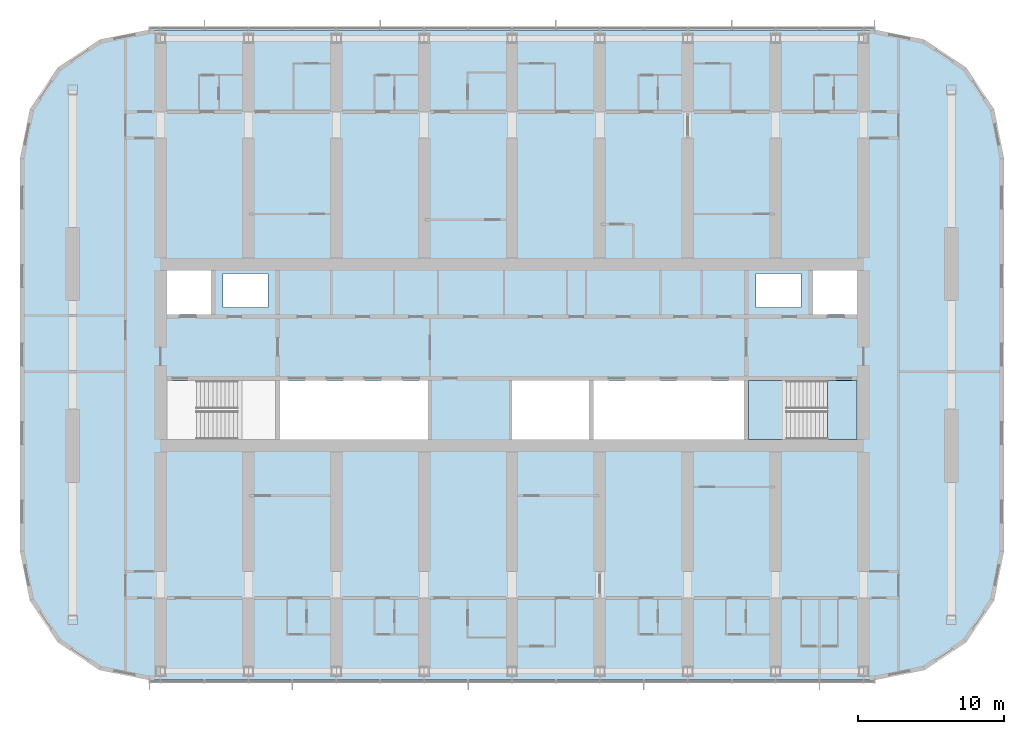
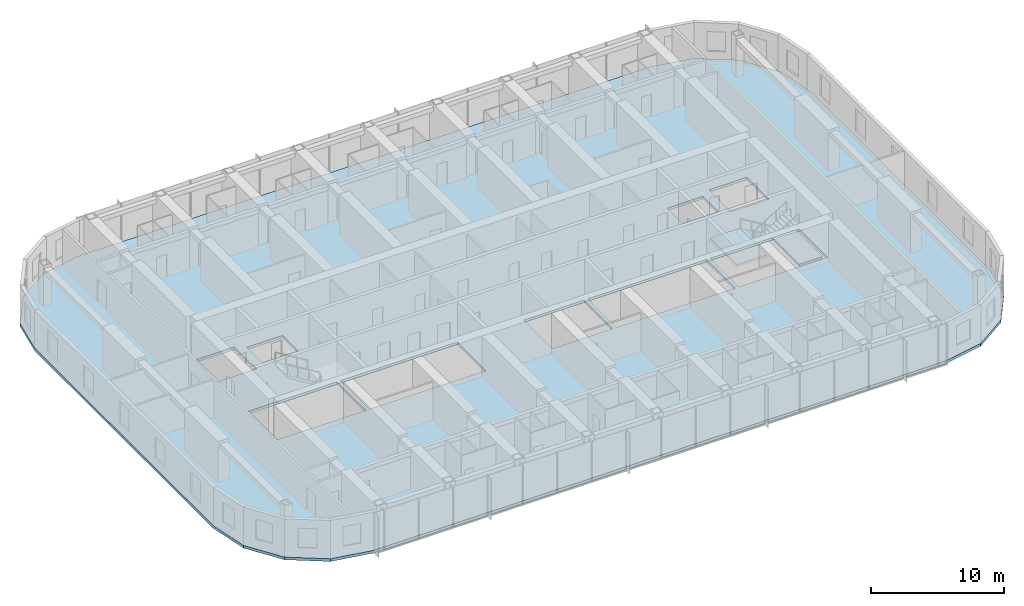
# One storey, part 8 of 22: 3 slabs, 1 element without a shape of its own.
"""IFC4 building model written with IfcOpenShell, lengths in metres."""

from ifc_helpers import new_model, si_unit, direction, frame, origin, place, context, subcontext, project, spatial, polyline, outline, extrude, material, layer, layer_set, type_object, element, aggregate, save


model = new_model("IFC4")

# Units and contexts
model_context = context("Model", 3, precision=1e-05, world=origin(), true_north=direction((0.0, 1.0)))
body_context = subcontext(model_context, "Body", "Model", "MODEL_VIEW")
ifc_project = project(units=[si_unit("LENGTHUNIT", "METRE"), si_unit("AREAUNIT", "SQUARE_METRE"), si_unit("VOLUMEUNIT", "CUBIC_METRE"), si_unit("PLANEANGLEUNIT", "RADIAN"), si_unit("MASSUNIT", "GRAM", prefix="KILO")], contexts=[model_context])

# Site, building, storey
site_placement = place(None, origin())
site = spatial("IfcSite", under=ifc_project, at=site_placement, CompositionType="ELEMENT")
building_placement = place(site_placement, origin())
building = spatial("IfcBuilding", under=site, at=building_placement, Name="Orbita Commons", CompositionType="ELEMENT")
storey_placement = place(building_placement, frame((0.0, 0.0, 186.10009765625)))
storey = spatial("IfcBuildingStorey", under=building, at=storey_placement, Name="L46", CompositionType="ELEMENT", Elevation=186.10009765625)

# Slab
ifc_material_1 = material(Name="Concrete C40/50", Category="concrete")
ifc_layer_1 = layer(ifc_material_1, 0.25)
ifc_layer_set_1 = layer_set([ifc_layer_1], Name="Concrete C40/50")
slab_type_1 = type_object("IfcSlabType", Name="Floor slab 250", PredefinedType="FLOOR", material=ifc_layer_set_1)
slab_1_placement = place(storey_placement, frame((0.0, 0.0, -0.25)))
element("IfcSlab", 1, at=slab_1_placement, inside=storey, type_object=slab_type_1, Name="Floor slab L46", PredefinedType="FLOOR", context=body_context, shape_type="SweptSolid", body=[
    extrude(outline(polyline([(66.800048828125, 9.800048828125), (70.167724609375, 10.469970703125), (73.0224609375, 12.37744140625), (74.93017578125, 15.232421875), (75.60009765625, 18.60009765625), (75.60009765625, 45.39990234375), (74.93017578125, 48.767578125), (73.0224609375, 51.62255859375), (70.167724609375, 53.530029296875), (66.800048828125, 54.199951171875), (17.199951171875, 54.199951171875), (13.832275390625, 53.530029296875), (10.9775390625, 51.62255859375), (9.06982421875, 48.767578125), (8.39990234375, 45.39990234375), (8.39990234375, 18.60009765625), (9.06982421875, 15.232421875), (10.9775390625, 12.37744140625), (13.832275390625, 10.469970703125), (17.199951171875, 9.800048828125), (66.800048828125, 9.800048828125)]), holes=[polyline([(18.14990234375, 25.949951171875), (25.85009765625, 25.949951171875), (25.85009765625, 30.25), (18.14990234375, 30.25), (18.14990234375, 25.949951171875)]), polyline([(58.14990234375, 25.949951171875), (65.85009765625, 25.949951171875), (65.85009765625, 30.25), (58.14990234375, 30.25), (58.14990234375, 25.949951171875)]), polyline([(18.14990234375, 34.75), (21.449951171875, 34.75), (21.449951171875, 38.050048828125), (18.14990234375, 38.050048828125), (18.14990234375, 34.75)]), polyline([(62.550048828125, 34.75), (65.85009765625, 34.75), (65.85009765625, 38.050048828125), (62.550048828125, 38.050048828125), (62.550048828125, 34.75)]), polyline([(22.25, 35.25), (25.35009765625, 35.25), (25.35009765625, 37.550048828125), (22.25, 37.550048828125), (22.25, 35.25)]), polyline([(58.64990234375, 35.25), (61.75, 35.25), (61.75, 37.550048828125), (58.64990234375, 37.550048828125), (58.64990234375, 35.25)]), polyline([(26.14990234375, 25.949951171875), (36.25, 25.949951171875), (36.25, 30.25), (26.14990234375, 30.25), (26.14990234375, 25.949951171875)]), polyline([(42.0, 25.949951171875), (47.25, 25.949951171875), (47.25, 30.25), (42.0, 30.25), (42.0, 25.949951171875)]), polyline([(47.550048828125, 25.949951171875), (57.85009765625, 25.949951171875), (57.85009765625, 30.25), (47.550048828125, 30.25), (47.550048828125, 25.949951171875)])]), origin(), (0.0, 0.0, 1.0), 0.25),
])

# Stair, slabs
ifc_material_2 = material(Name="Precast concrete C40/50", Category="concrete")
stair_type = type_object("IfcStairType", Name="Exit stair S2 2 flights 11 risers 170", PredefinedType="HALF_TURN_STAIR", material=ifc_material_2)
stair_placement = place(storey_placement, origin())
stair = element("IfcStair", 2, at=stair_placement, inside=storey, type_object=stair_type, Name="Exit stair S2 L46", PredefinedType="HALF_TURN_STAIR")
ifc_material_3 = material(Name="Concrete C40/50", Category="concrete")
ifc_layer_2 = layer(ifc_material_3, 0.199951171875)
ifc_layer_set_2 = layer_set([ifc_layer_2], Name="Concrete C40/50")
slab_type_2 = type_object("IfcSlabType", Name="Stair landing 200", PredefinedType="LANDING", material=ifc_layer_set_2)
slab_2_placement = place(storey_placement, frame((0.0, 0.0, -0.2001953125)))
slab_2 = element("IfcSlab", 3, at=slab_2_placement, type_object=slab_type_2, Name="S2 landing 1", PredefinedType="LANDING", context=body_context, shape_type="SweptSolid", body=[
    extrude(outline(polyline([(63.550048828125, 26.22509765625), (65.574951171875, 26.22509765625), (65.574951171875, 30.25), (63.550048828125, 30.25), (63.550048828125, 26.22509765625)])), origin(), (0.0, 0.0, 1.0), 0.2001953125),
])
slab_3_placement = place(storey_placement, frame((0.0, 0.0, 1.6748046875)))
slab_3 = element("IfcSlab", 4, at=slab_3_placement, type_object=slab_type_2, Name="S2 landing 2", PredefinedType="LANDING", context=body_context, shape_type="SweptSolid", body=[
    extrude(outline(polyline([(58.135009765625, 26.2099609375), (60.75, 26.2099609375), (60.75, 30.264892578125), (58.135009765625, 30.264892578125), (58.135009765625, 26.2099609375)])), origin(), (0.0, 0.0, 1.0), 0.2001953125),
])
aggregate(stair, [slab_2, slab_3])

save(model, "model.ifc")
